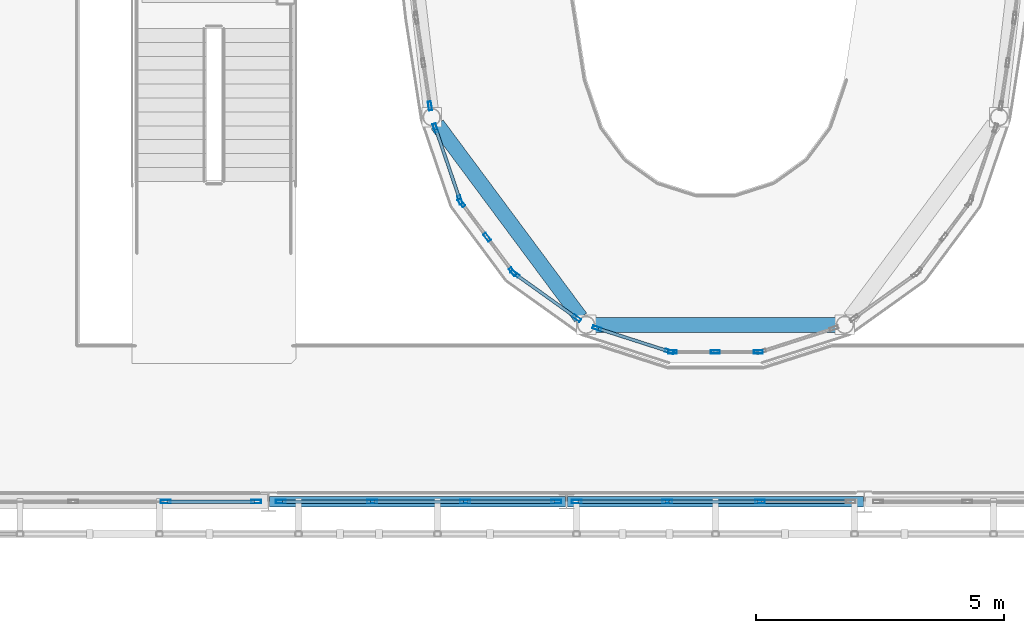
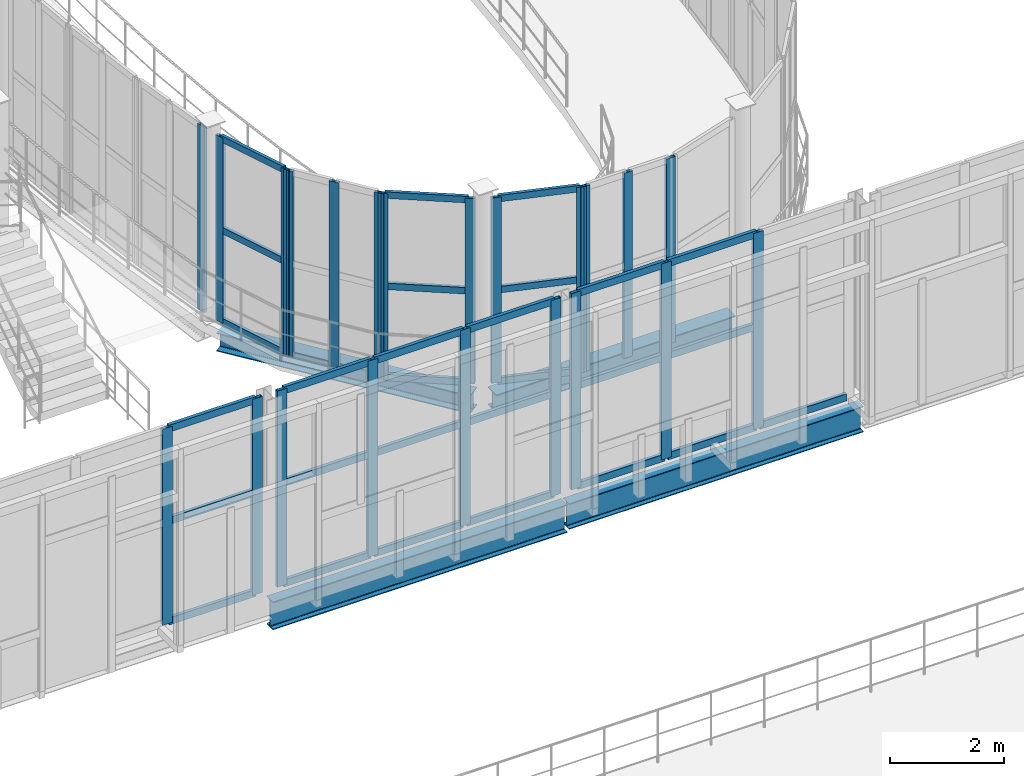
# One storey, part 29 of 138: 50 members, 4 beams, 9 elements without a shape of their own.
"""IFC4 building model written with IfcOpenShell, lengths in metres."""

from ifc_helpers import new_model, si_unit, direction, frame, origin, origin_2d, place, context, subcontext, project, spatial, hollow_rectangle, i_section, extrude, material, layer, layer_set, material_profile, profile_set, type_object, element, aggregate, save


model = new_model("IFC4")

# Units and contexts
model_context = context("Model", 3, precision=1e-05, world=origin(), true_north=direction((0.0, 1.0)))
body_context = subcontext(model_context, "Body", "Model", "MODEL_VIEW")
ifc_project = project(units=[si_unit("LENGTHUNIT", "METRE"), si_unit("AREAUNIT", "SQUARE_METRE"), si_unit("VOLUMEUNIT", "CUBIC_METRE"), si_unit("PLANEANGLEUNIT", "RADIAN"), si_unit("MASSUNIT", "GRAM", prefix="KILO")], contexts=[model_context])

# Site, building, storey
site_placement = place(None, origin())
site = spatial("IfcSite", under=ifc_project, at=site_placement, CompositionType="ELEMENT")
building_placement = place(site_placement, origin())
building = spatial("IfcBuilding", under=site, at=building_placement, Name="Vinh Khe Railworks Police Headquarters", CompositionType="ELEMENT")
storey_placement = place(building_placement, frame((0.0, 0.0, 9.0)))
storey = spatial("IfcBuildingStorey", under=building, at=storey_placement, Name="L02", CompositionType="ELEMENT", Elevation=9.0)

# Curtain wall, member
ifc_material_1 = material(Name="Anodised aluminium and acoustic laminated glass", Category="aluminium")
ifc_layer_1 = layer(ifc_material_1, 0.159912109375)
ifc_layer_set_1 = layer_set([ifc_layer_1], Name="Anodised aluminium and acoustic laminated glass")
curtain_wall_type_1 = type_object("IfcCurtainWallType", Name="CW-DRUM-CHORD", PredefinedType="USERDEFINED", material=ifc_layer_set_1)
curtain_wall_1_placement = place(storey_placement, origin())
curtain_wall_1 = element("IfcCurtainWall", 1, at=curtain_wall_1_placement, inside=storey, type_object=curtain_wall_type_1, Name="Elliptical Command Drum Glazing L02 Chord 27", ObjectType="DRUM FACADE GLAZING", PredefinedType="USERDEFINED")
ifc_material_2 = material(Name="Anodised aluminium 6063-T6", Category="aluminium")
ifc_material_profile_1 = material_profile(ifc_material_2, hollow_rectangle(XDim=0.06494140625, YDim=0.179931640625, WallThickness=0.0048828125, at=origin_2d()), Name="CW-M 65x180x5")
ifc_profile_set_1 = profile_set([ifc_material_profile_1], Name="Anodised aluminium 6063-T6")
member_type_1 = type_object("IfcMemberType", Name="MULL-CWM-02", PredefinedType="MULLION", material=ifc_profile_set_1)
member_1_placement = place(storey_placement, frame((37.45166015625, 33.171630859375, 0.0), z_axis=(0.0, 0.0, 1.0), x_axis=(0.988150166575, 0.153490222159, 0.0)))
member_1 = element("IfcMember", 2, at=member_1_placement, type_object=member_type_1, Name="CW-02 mullion 3", PredefinedType="MULLION", context=body_context, shape_type="SweptSolid", body=[
    extrude(hollow_rectangle(XDim=0.06494140625, YDim=0.179931640625, WallThickness=0.0048828125, at=origin_2d()), origin(), (0.0, 0.0, 1.0), 3.969970703125),
])
aggregate(curtain_wall_1, [member_1])

# Curtain wall, members
curtain_wall_2_placement = place(storey_placement, origin())
curtain_wall_2 = element("IfcCurtainWall", 3, at=curtain_wall_2_placement, inside=storey, type_object=curtain_wall_type_1, Name="Elliptical Command Drum Glazing L02 Chord 28", ObjectType="DRUM FACADE GLAZING", PredefinedType="USERDEFINED")
member_2_placement = place(storey_placement, frame((37.561279296875, 32.72607421875, 0.0), z_axis=(0.0, 0.0, 1.0), x_axis=(0.946485571054, 0.322746129004, 0.0)))
member_2 = element("IfcMember", 4, at=member_2_placement, type_object=member_type_1, Name="CW-02 mullion 1", PredefinedType="MULLION", context=body_context, shape_type="SweptSolid", body=[
    extrude(hollow_rectangle(XDim=0.06494140625, YDim=0.179931640625, WallThickness=0.0048828125, at=origin_2d()), origin(), (0.0, 0.0, 1.0), 3.969970703125),
])
member_3_placement = place(storey_placement, frame((38.055419921875, 31.27685546875, 0.0), z_axis=(0.0, 0.0, 1.0), x_axis=(0.946485571054, 0.322746129004, 0.0)))
member_3 = element("IfcMember", 5, at=member_3_placement, type_object=member_type_1, Name="CW-02 mullion 2", PredefinedType="MULLION", context=body_context, shape_type="SweptSolid", body=[
    extrude(hollow_rectangle(XDim=0.06494140625, YDim=0.179931640625, WallThickness=0.0048828125, at=origin_2d()), origin(), (0.0, 0.0, 1.0), 3.969970703125),
])

curtain_wall_3_placement = place(storey_placement, origin())
curtain_wall_3 = element("IfcCurtainWall", 6, at=curtain_wall_3_placement, inside=storey, type_object=curtain_wall_type_1, Name="Elliptical Command Drum Glazing L02 Chord 29", ObjectType="DRUM FACADE GLAZING", PredefinedType="USERDEFINED")
member_4_placement = place(storey_placement, frame((38.085205078125, 31.22021484375, 0.0), z_axis=(0.0, 0.0, 1.0), x_axis=(0.802591949394, 0.596528425784, 0.0)))
member_4 = element("IfcMember", 7, at=member_4_placement, type_object=member_type_1, Name="CW-02 mullion 1", PredefinedType="MULLION", context=body_context, shape_type="SweptSolid", body=[
    extrude(hollow_rectangle(XDim=0.06494140625, YDim=0.179931640625, WallThickness=0.0048828125, at=origin_2d()), origin(), (0.0, 0.0, 1.0), 3.969970703125),
])
member_5_placement = place(storey_placement, frame((38.60107421875, 30.5263671875, 0.0), z_axis=(0.0, 0.0, 1.0), x_axis=(0.802591949394, 0.596528425784, 0.0)))
member_5 = element("IfcMember", 8, at=member_5_placement, type_object=member_type_1, Name="CW-02 mullion 2", PredefinedType="MULLION", context=body_context, shape_type="SweptSolid", body=[
    extrude(hollow_rectangle(XDim=0.06494140625, YDim=0.179931640625, WallThickness=0.0048828125, at=origin_2d()), origin(), (0.0, 0.0, 1.0), 3.969970703125),
])
member_6_placement = place(storey_placement, frame((39.11669921875, 29.83251953125, 0.0), z_axis=(0.0, 0.0, 1.0), x_axis=(0.802591949394, 0.596528425784, 0.0)))
member_6 = element("IfcMember", 9, at=member_6_placement, type_object=member_type_1, Name="CW-02 mullion 3", PredefinedType="MULLION", context=body_context, shape_type="SweptSolid", body=[
    extrude(hollow_rectangle(XDim=0.06494140625, YDim=0.179931640625, WallThickness=0.0048828125, at=origin_2d()), origin(), (0.0, 0.0, 1.0), 3.969970703125),
])
aggregate(curtain_wall_3, [member_4, member_5, member_6])

curtain_wall_4_placement = place(storey_placement, origin())
curtain_wall_4 = element("IfcCurtainWall", 10, at=curtain_wall_4_placement, inside=storey, type_object=curtain_wall_type_1, Name="Elliptical Command Drum Glazing L02 Chord 30", ObjectType="DRUM FACADE GLAZING", PredefinedType="USERDEFINED")
member_7_placement = place(storey_placement, frame((39.162353515625, 29.78759765625, 0.0), z_axis=(0.0, 0.0, 1.0), x_axis=(0.581915407422, 0.813249321306, 0.0)))
member_7 = element("IfcMember", 11, at=member_7_placement, type_object=member_type_1, Name="CW-02 mullion 1", PredefinedType="MULLION", context=body_context, shape_type="SweptSolid", body=[
    extrude(hollow_rectangle(XDim=0.06494140625, YDim=0.179931640625, WallThickness=0.0048828125, at=origin_2d()), origin(), (0.0, 0.0, 1.0), 3.969970703125),
])
member_8_placement = place(storey_placement, frame((40.40771484375, 28.896484375, 0.0), z_axis=(0.0, 0.0, 1.0), x_axis=(0.581915407422, 0.813249321306, 0.0)))
member_8 = element("IfcMember", 12, at=member_8_placement, type_object=member_type_1, Name="CW-02 mullion 2", PredefinedType="MULLION", context=body_context, shape_type="SweptSolid", body=[
    extrude(hollow_rectangle(XDim=0.06494140625, YDim=0.179931640625, WallThickness=0.0048828125, at=origin_2d()), origin(), (0.0, 0.0, 1.0), 3.969970703125),
])

curtain_wall_5_placement = place(storey_placement, origin())
curtain_wall_5 = element("IfcCurtainWall", 13, at=curtain_wall_5_placement, inside=storey, type_object=curtain_wall_type_1, Name="Elliptical Command Drum Glazing L02 Chord 31", ObjectType="DRUM FACADE GLAZING", PredefinedType="USERDEFINED")
member_9_placement = place(storey_placement, frame((40.814208984375, 28.692138671875, 0.0), z_axis=(0.0, 0.0, 1.0), x_axis=(0.305575355525, 0.952167895959, 0.0)))
member_9 = element("IfcMember", 14, at=member_9_placement, type_object=member_type_1, Name="CW-02 mullion 1", PredefinedType="MULLION", context=body_context, shape_type="SweptSolid", body=[
    extrude(hollow_rectangle(XDim=0.06494140625, YDim=0.179931640625, WallThickness=0.0048828125, at=origin_2d()), origin(), (0.0, 0.0, 1.0), 3.969970703125),
])
member_10_placement = place(storey_placement, frame((42.27197265625, 28.224365234375, 0.0), z_axis=(0.0, 0.0, 1.0), x_axis=(0.305575355525, 0.952167895959, 0.0)))
member_10 = element("IfcMember", 15, at=member_10_placement, type_object=member_type_1, Name="CW-02 mullion 2", PredefinedType="MULLION", context=body_context, shape_type="SweptSolid", body=[
    extrude(hollow_rectangle(XDim=0.06494140625, YDim=0.179931640625, WallThickness=0.0048828125, at=origin_2d()), origin(), (0.0, 0.0, 1.0), 3.969970703125),
])

curtain_wall_6_placement = place(storey_placement, origin())
curtain_wall_6 = element("IfcCurtainWall", 16, at=curtain_wall_6_placement, inside=storey, type_object=curtain_wall_type_1, Name="Elliptical Command Drum Glazing L02 Chord 32", ObjectType="DRUM FACADE GLAZING", PredefinedType="USERDEFINED")
member_11_placement = place(storey_placement, frame((42.33544921875, 28.21435546875, 0.0), z_axis=(0.0, 0.0, 1.0), x_axis=(0.0, 1.0, 0.0)))
member_11 = element("IfcMember", 17, at=member_11_placement, type_object=member_type_1, Name="CW-02 mullion 1", PredefinedType="MULLION", context=body_context, shape_type="SweptSolid", body=[
    extrude(hollow_rectangle(XDim=0.06494140625, YDim=0.179931640625, WallThickness=0.0048828125, at=origin_2d()), origin(), (0.0, 0.0, 1.0), 3.969970703125),
])
member_12_placement = place(storey_placement, frame((43.199951171875, 28.21435546875, 0.0), z_axis=(0.0, 0.0, 1.0), x_axis=(0.0, 1.0, 0.0)))
member_12 = element("IfcMember", 18, at=member_12_placement, type_object=member_type_1, Name="CW-02 mullion 2", PredefinedType="MULLION", context=body_context, shape_type="SweptSolid", body=[
    extrude(hollow_rectangle(XDim=0.06494140625, YDim=0.179931640625, WallThickness=0.0048828125, at=origin_2d()), origin(), (0.0, 0.0, 1.0), 3.969970703125),
])
member_13_placement = place(storey_placement, frame((44.064453125, 28.21435546875, 0.0), z_axis=(0.0, 0.0, 1.0), x_axis=(0.0, 1.0, 0.0)))
member_13 = element("IfcMember", 19, at=member_13_placement, type_object=member_type_1, Name="CW-02 mullion 3", PredefinedType="MULLION", context=body_context, shape_type="SweptSolid", body=[
    extrude(hollow_rectangle(XDim=0.06494140625, YDim=0.179931640625, WallThickness=0.0048828125, at=origin_2d()), origin(), (0.0, 0.0, 1.0), 3.969970703125),
])
aggregate(curtain_wall_6, [member_11, member_12, member_13])

ifc_material_3 = material(Name="Anodised aluminium and low-iron glass", Category="aluminium")
ifc_layer_2 = layer(ifc_material_3, 0.179931640625)
ifc_layer_set_2 = layer_set([ifc_layer_2], Name="Anodised aluminium and low-iron glass")
curtain_wall_type_2 = type_object("IfcCurtainWallType", Name="CW-CUBE-UNIT", PredefinedType="USERDEFINED", material=ifc_layer_set_2)
curtain_wall_7_placement = place(storey_placement, origin())
curtain_wall_7 = element("IfcCurtainWall", 20, at=curtain_wall_7_placement, inside=storey, type_object=curtain_wall_type_2, Name="Entrance Hall Curtain Wall L02 S-1", ObjectType="UNITISED GLAZING", PredefinedType="USERDEFINED")
ifc_material_profile_2 = material_profile(ifc_material_2, hollow_rectangle(XDim=0.070068359375, YDim=0.199951171875, WallThickness=0.0048828125, at=origin_2d()), Name="CW-M 70x200x5")
ifc_profile_set_2 = profile_set([ifc_material_profile_2], Name="Anodised aluminium 6063-T6")
member_type_2 = type_object("IfcMemberType", Name="MULL-CWM-03", PredefinedType="MULLION", material=ifc_profile_set_2)
member_14_placement = place(storey_placement, frame((32.126220703125, 25.199951171875, 0.0), z_axis=(0.0, 0.0, 1.0), x_axis=(0.0, 1.0, 0.0)))
member_14 = element("IfcMember", 21, at=member_14_placement, type_object=member_type_2, Name="CW-01 mullion 4", PredefinedType="MULLION", context=body_context, shape_type="SweptSolid", body=[
    extrude(hollow_rectangle(XDim=0.070068359375, YDim=0.199951171875, WallThickness=0.0048828125, at=origin_2d()), origin(), (0.0, 0.0, 1.0), 4.199951171875),
])
member_15_placement = place(storey_placement, frame((33.949951171875, 25.199951171875, 0.0), z_axis=(0.0, 0.0, 1.0), x_axis=(0.0, 1.0, 0.0)))
member_15 = element("IfcMember", 22, at=member_15_placement, type_object=member_type_2, Name="CW-01 mullion 5", PredefinedType="MULLION", context=body_context, shape_type="SweptSolid", body=[
    extrude(hollow_rectangle(XDim=0.070068359375, YDim=0.199951171875, WallThickness=0.0048828125, at=origin_2d()), origin(), (0.0, 0.0, 1.0), 4.199951171875),
])

curtain_wall_8_placement = place(storey_placement, origin())
curtain_wall_8 = element("IfcCurtainWall", 23, at=curtain_wall_8_placement, inside=storey, type_object=curtain_wall_type_2, Name="Entrance Hall Curtain Wall L02 S-2", ObjectType="UNITISED GLAZING", PredefinedType="USERDEFINED")
member_16_placement = place(storey_placement, frame((34.449951171875, 25.199951171875, 0.0), z_axis=(0.0, 0.0, 1.0), x_axis=(0.0, 1.0, 0.0)))
member_16 = element("IfcMember", 24, at=member_16_placement, type_object=member_type_2, Name="CW-01 mullion 1", PredefinedType="MULLION", context=body_context, shape_type="SweptSolid", body=[
    extrude(hollow_rectangle(XDim=0.070068359375, YDim=0.199951171875, WallThickness=0.0048828125, at=origin_2d()), origin(), (0.0, 0.0, 1.0), 4.199951171875),
])
member_17_placement = place(storey_placement, frame((36.28662109375, 25.199951171875, 0.0), z_axis=(0.0, 0.0, 1.0), x_axis=(0.0, 1.0, 0.0)))
member_17 = element("IfcMember", 25, at=member_17_placement, type_object=member_type_2, Name="CW-01 mullion 2", PredefinedType="MULLION", context=body_context, shape_type="SweptSolid", body=[
    extrude(hollow_rectangle(XDim=0.070068359375, YDim=0.199951171875, WallThickness=0.0048828125, at=origin_2d()), origin(), (0.0, 0.0, 1.0), 4.199951171875),
])
member_18_placement = place(storey_placement, frame((38.158447265625, 25.199951171875, 0.0), z_axis=(0.0, 0.0, 1.0), x_axis=(0.0, 1.0, 0.0)))
member_18 = element("IfcMember", 26, at=member_18_placement, type_object=member_type_2, Name="CW-01 mullion 3", PredefinedType="MULLION", context=body_context, shape_type="SweptSolid", body=[
    extrude(hollow_rectangle(XDim=0.070068359375, YDim=0.199951171875, WallThickness=0.0048828125, at=origin_2d()), origin(), (0.0, 0.0, 1.0), 4.199951171875),
])
member_19_placement = place(storey_placement, frame((39.9951171875, 25.199951171875, 0.0), z_axis=(0.0, 0.0, 1.0), x_axis=(0.0, 1.0, 0.0)))
member_19 = element("IfcMember", 27, at=member_19_placement, type_object=member_type_2, Name="CW-01 mullion 4", PredefinedType="MULLION", context=body_context, shape_type="SweptSolid", body=[
    extrude(hollow_rectangle(XDim=0.070068359375, YDim=0.199951171875, WallThickness=0.0048828125, at=origin_2d()), origin(), (0.0, 0.0, 1.0), 4.199951171875),
])

curtain_wall_9_placement = place(storey_placement, origin())
curtain_wall_9 = element("IfcCurtainWall", 28, at=curtain_wall_9_placement, inside=storey, type_object=curtain_wall_type_2, Name="Entrance Hall Curtain Wall L02 S-3", ObjectType="UNITISED GLAZING", PredefinedType="USERDEFINED")
member_20_placement = place(storey_placement, frame((40.405029296875, 25.199951171875, 0.0), z_axis=(0.0, 0.0, 1.0), x_axis=(0.0, 1.0, 0.0)))
member_20 = element("IfcMember", 29, at=member_20_placement, type_object=member_type_2, Name="CW-01 mullion 1", PredefinedType="MULLION", context=body_context, shape_type="SweptSolid", body=[
    extrude(hollow_rectangle(XDim=0.070068359375, YDim=0.199951171875, WallThickness=0.0048828125, at=origin_2d()), origin(), (0.0, 0.0, 1.0), 4.199951171875),
])
member_21_placement = place(storey_placement, frame((42.2333984375, 25.199951171875, 0.0), z_axis=(0.0, 0.0, 1.0), x_axis=(0.0, 1.0, 0.0)))
member_21 = element("IfcMember", 30, at=member_21_placement, type_object=member_type_2, Name="CW-01 mullion 2", PredefinedType="MULLION", context=body_context, shape_type="SweptSolid", body=[
    extrude(hollow_rectangle(XDim=0.070068359375, YDim=0.199951171875, WallThickness=0.0048828125, at=origin_2d()), origin(), (0.0, 0.0, 1.0), 4.199951171875),
])
member_22_placement = place(storey_placement, frame((44.0966796875, 25.199951171875, 0.0), z_axis=(0.0, 0.0, 1.0), x_axis=(0.0, 1.0, 0.0)))
member_22 = element("IfcMember", 31, at=member_22_placement, type_object=member_type_2, Name="CW-01 mullion 3", PredefinedType="MULLION", context=body_context, shape_type="SweptSolid", body=[
    extrude(hollow_rectangle(XDim=0.070068359375, YDim=0.199951171875, WallThickness=0.0048828125, at=origin_2d()), origin(), (0.0, 0.0, 1.0), 4.199951171875),
])

# Beams
ifc_material_4 = material(Name="Steel S355JR", Category="steel")
ifc_material_profile_3 = material_profile(ifc_material_4, i_section(OverallWidth=0.300048828125, OverallDepth=0.389892578125, WebThickness=0.010986328125, FlangeThickness=0.01904296875, FilletRadius=0.027099609375, at=origin_2d()), Name="HEA 400")
ifc_profile_set_3 = profile_set([ifc_material_profile_3], Name="Steel S355JR")
beam_type_1 = type_object("IfcBeamType", Name="Steel Girder HEA 400", PredefinedType="BEAM", material=ifc_profile_set_3)
for number, where, z_axis, x_axis, name in (
    (32, (37.59619140625, 32.797119140625, -0.4150390625), (0.596510507995, -0.802605266524, 0.0), (0.802605266524, 0.596510507995, 0.0), "Drum Ring Girder BM-L02-DRUM-SB-14-1020"),
    (33, (40.778076171875, 28.762451171875, -0.4150390625), (1.0, 0.0, 0.0), (0.0, 1.0, 0.0), "Drum Ring Girder BM-L02-DRUM-SB-14-1021"),
):
    element("IfcBeam", number, at=place(storey_placement, frame(where, z_axis=z_axis, x_axis=x_axis)), inside=storey, type_object=beam_type_1, Name=name, PredefinedType="BEAM", context=body_context, shape_type="SweptSolid", body=[
        extrude(i_section(OverallWidth=0.300048828125, OverallDepth=0.389892578125, WebThickness=0.010986328125, FlangeThickness=0.01904296875, FilletRadius=0.027099609375, at=origin_2d()), origin(), (0.0, 0.0, 1.0), 4.84375),
    ])
ifc_material_profile_4 = material_profile(ifc_material_4, i_section(OverallWidth=0.2099609375, OverallDepth=0.550048828125, WebThickness=0.010986328125, FlangeThickness=0.01708984375, FilletRadius=0.02392578125, at=origin_2d()), Name="IPE 550")
ifc_profile_set_4 = profile_set([ifc_material_profile_4], Name="Steel S355JR")
beam_type_2 = type_object("IfcBeamType", Name="Steel Girder IPE 550", PredefinedType="BEAM", material=ifc_profile_set_4)
beam_1_placement = place(storey_placement, frame((40.219970703125, 25.199951171875, -0.4951171875), z_axis=(1.0, 0.0, 0.0), x_axis=(0.0, 1.0, 0.0)))
element("IfcBeam", 34, at=beam_1_placement, inside=storey, type_object=beam_type_2, Name="Girder BM-L02-EW-SB-18-0766", PredefinedType="BEAM", context=body_context, shape_type="SweptSolid", body=[
    extrude(i_section(OverallWidth=0.2099609375, OverallDepth=0.550048828125, WebThickness=0.010986328125, FlangeThickness=0.01708984375, FilletRadius=0.02392578125, at=origin_2d()), origin(), (0.0, 0.0, 1.0), 5.9599609375),
])
ifc_material_profile_5 = material_profile(ifc_material_4, i_section(OverallWidth=0.219970703125, OverallDepth=0.60009765625, WebThickness=0.011962890625, FlangeThickness=0.01904296875, FilletRadius=0.02392578125, at=origin_2d()), Name="IPE 600")
ifc_profile_set_5 = profile_set([ifc_material_profile_5], Name="Steel S355JR")
beam_type_3 = type_object("IfcBeamType", Name="Steel Girder IPE 600", PredefinedType="BEAM", material=ifc_profile_set_5)
beam_2_placement = place(storey_placement, frame((34.219970703125, 25.199951171875, -0.52001953125), z_axis=(1.0, 0.0, 0.0), x_axis=(0.0, 1.0, 0.0)))
element("IfcBeam", 35, at=beam_2_placement, inside=storey, type_object=beam_type_3, Name="Girder BM-L02-EW-SB-17-0765", PredefinedType="BEAM", context=body_context, shape_type="SweptSolid", body=[
    extrude(i_section(OverallWidth=0.219970703125, OverallDepth=0.60009765625, WebThickness=0.011962890625, FlangeThickness=0.01904296875, FilletRadius=0.02392578125, at=origin_2d()), origin(), (0.0, 0.0, 1.0), 5.9599609375),
])

# Member
ifc_material_profile_6 = material_profile(ifc_material_2, hollow_rectangle(XDim=0.06494140625, YDim=0.139892578125, WallThickness=0.00390625, at=origin_2d()), Name="CW-T 65x140x4")
ifc_profile_set_6 = profile_set([ifc_material_profile_6], Name="Anodised aluminium 6063-T6")
member_type_3 = type_object("IfcMemberType", Name="TRAN-CWT-02", PredefinedType="USERDEFINED", material=ifc_profile_set_6)
member_23_placement = place(storey_placement, frame((37.57177734375, 32.6953125, 0.032470703125), z_axis=(0.322714613398, -0.946496317108, 0.0), x_axis=(0.946496317108, 0.322714613398, 0.0)))
member_23 = element("IfcMember", 36, at=member_23_placement, type_object=member_type_3, Name="CW-02 transom 1.1", ObjectType="TRANSOM", PredefinedType="USERDEFINED", context=body_context, shape_type="SweptSolid", body=[
    extrude(hollow_rectangle(XDim=0.06494140625, YDim=0.139892578125, WallThickness=0.00390625, at=origin_2d()), origin(), (0.0, 0.0, 1.0), 1.466064453125),
])

member_24_placement = place(storey_placement, frame((37.57177734375, 32.6953125, 1.985107421875), z_axis=(0.322714613398, -0.946496317108, 0.0), x_axis=(0.946496317108, 0.322714613398, 0.0)))
member_24 = element("IfcMember", 37, at=member_24_placement, type_object=member_type_3, Name="CW-02 transom 1.2", ObjectType="TRANSOM", PredefinedType="USERDEFINED", context=body_context, shape_type="SweptSolid", body=[
    extrude(hollow_rectangle(XDim=0.06494140625, YDim=0.139892578125, WallThickness=0.00390625, at=origin_2d()), origin(), (0.0, 0.0, 1.0), 1.466064453125),
])

member_25_placement = place(storey_placement, frame((37.57177734375, 32.6953125, 3.9375), z_axis=(0.322714613398, -0.946496317108, 0.0), x_axis=(0.946496317108, 0.322714613398, 0.0)))
member_25 = element("IfcMember", 38, at=member_25_placement, type_object=member_type_3, Name="CW-02 transom 1.3", ObjectType="TRANSOM", PredefinedType="USERDEFINED", context=body_context, shape_type="SweptSolid", body=[
    extrude(hollow_rectangle(XDim=0.06494140625, YDim=0.139892578125, WallThickness=0.00390625, at=origin_2d()), origin(), (0.0, 0.0, 1.0), 1.466064453125),
])

aggregate(curtain_wall_2, [member_2, member_3, member_23, member_24, member_25])

member_26_placement = place(storey_placement, frame((39.18896484375, 29.7685546875, 0.032470703125), z_axis=(0.813249302485, -0.581915433726, 0.0), x_axis=(0.581915433726, 0.813249302485, 0.0)))
member_26 = element("IfcMember", 39, at=member_26_placement, type_object=member_type_3, Name="CW-02 transom 1.1", ObjectType="TRANSOM", PredefinedType="USERDEFINED", context=body_context, shape_type="SweptSolid", body=[
    extrude(hollow_rectangle(XDim=0.06494140625, YDim=0.139892578125, WallThickness=0.00390625, at=origin_2d()), origin(), (0.0, 0.0, 1.0), 1.4658203125),
])

member_27_placement = place(storey_placement, frame((39.18896484375, 29.7685546875, 1.985107421875), z_axis=(0.813249302485, -0.581915433726, 0.0), x_axis=(0.581915433726, 0.813249302485, 0.0)))
member_27 = element("IfcMember", 40, at=member_27_placement, type_object=member_type_3, Name="CW-02 transom 1.2", ObjectType="TRANSOM", PredefinedType="USERDEFINED", context=body_context, shape_type="SweptSolid", body=[
    extrude(hollow_rectangle(XDim=0.06494140625, YDim=0.139892578125, WallThickness=0.00390625, at=origin_2d()), origin(), (0.0, 0.0, 1.0), 1.4658203125),
])

member_28_placement = place(storey_placement, frame((39.18896484375, 29.7685546875, 3.9375), z_axis=(0.813249302485, -0.581915433726, 0.0), x_axis=(0.581915433726, 0.813249302485, 0.0)))
member_28 = element("IfcMember", 41, at=member_28_placement, type_object=member_type_3, Name="CW-02 transom 1.3", ObjectType="TRANSOM", PredefinedType="USERDEFINED", context=body_context, shape_type="SweptSolid", body=[
    extrude(hollow_rectangle(XDim=0.06494140625, YDim=0.139892578125, WallThickness=0.00390625, at=origin_2d()), origin(), (0.0, 0.0, 1.0), 1.4658203125),
])

aggregate(curtain_wall_4, [member_7, member_8, member_26, member_27, member_28])

member_29_placement = place(storey_placement, frame((40.84521484375, 28.68212890625, 0.032470703125), z_axis=(0.952170531447, -0.305567143268, 0.0), x_axis=(0.305567143268, 0.952170531447, 0.0)))
member_29 = element("IfcMember", 42, at=member_29_placement, type_object=member_type_3, Name="CW-02 transom 1.1", ObjectType="TRANSOM", PredefinedType="USERDEFINED", context=body_context, shape_type="SweptSolid", body=[
    extrude(hollow_rectangle(XDim=0.06494140625, YDim=0.139892578125, WallThickness=0.00390625, at=origin_2d()), origin(), (0.0, 0.0, 1.0), 1.466064453125),
])

member_30_placement = place(storey_placement, frame((40.84521484375, 28.68212890625, 1.985107421875), z_axis=(0.952170531447, -0.305567143268, 0.0), x_axis=(0.305567143268, 0.952170531447, 0.0)))
member_30 = element("IfcMember", 43, at=member_30_placement, type_object=member_type_3, Name="CW-02 transom 1.2", ObjectType="TRANSOM", PredefinedType="USERDEFINED", context=body_context, shape_type="SweptSolid", body=[
    extrude(hollow_rectangle(XDim=0.06494140625, YDim=0.139892578125, WallThickness=0.00390625, at=origin_2d()), origin(), (0.0, 0.0, 1.0), 1.466064453125),
])

member_31_placement = place(storey_placement, frame((40.84521484375, 28.68212890625, 3.9375), z_axis=(0.952170531447, -0.305567143268, 0.0), x_axis=(0.305567143268, 0.952170531447, 0.0)))
member_31 = element("IfcMember", 44, at=member_31_placement, type_object=member_type_3, Name="CW-02 transom 1.3", ObjectType="TRANSOM", PredefinedType="USERDEFINED", context=body_context, shape_type="SweptSolid", body=[
    extrude(hollow_rectangle(XDim=0.06494140625, YDim=0.139892578125, WallThickness=0.00390625, at=origin_2d()), origin(), (0.0, 0.0, 1.0), 1.466064453125),
])

aggregate(curtain_wall_5, [member_9, member_10, member_29, member_30, member_31])

ifc_material_profile_7 = material_profile(ifc_material_2, hollow_rectangle(XDim=0.070068359375, YDim=0.14990234375, WallThickness=0.0048828125, at=origin_2d()), Name="CW-T 70x150x5")
ifc_profile_set_7 = profile_set([ifc_material_profile_7], Name="Anodised aluminium 6063-T6")
member_type_4 = type_object("IfcMemberType", Name="TRAN-CWT-03", PredefinedType="USERDEFINED", material=ifc_profile_set_7)
member_32_placement = place(storey_placement, frame((32.1611328125, 25.199951171875, 0.034912109375), z_axis=(1.0, 0.0, 0.0), x_axis=(0.0, 1.0, 0.0)))
member_32 = element("IfcMember", 45, at=member_32_placement, type_object=member_type_4, Name="CW-01 transom 4.1", ObjectType="TRANSOM", PredefinedType="USERDEFINED", context=body_context, shape_type="SweptSolid", body=[
    extrude(hollow_rectangle(XDim=0.070068359375, YDim=0.14990234375, WallThickness=0.0048828125, at=origin_2d()), origin(), (0.0, 0.0, 1.0), 1.75390625),
])

member_33_placement = place(storey_placement, frame((32.1611328125, 25.199951171875, 2.18408203125), z_axis=(1.0, 0.0, 0.0), x_axis=(0.0, 1.0, 0.0)))
member_33 = element("IfcMember", 46, at=member_33_placement, type_object=member_type_4, Name="CW-01 transom 4.2", ObjectType="TRANSOM", PredefinedType="USERDEFINED", context=body_context, shape_type="SweptSolid", body=[
    extrude(hollow_rectangle(XDim=0.070068359375, YDim=0.14990234375, WallThickness=0.0048828125, at=origin_2d()), origin(), (0.0, 0.0, 1.0), 1.75390625),
])

member_34_placement = place(storey_placement, frame((32.1611328125, 25.199951171875, 4.1650390625), z_axis=(1.0, 0.0, 0.0), x_axis=(0.0, 1.0, 0.0)))
member_34 = element("IfcMember", 47, at=member_34_placement, type_object=member_type_4, Name="CW-01 transom 4.3", ObjectType="TRANSOM", PredefinedType="USERDEFINED", context=body_context, shape_type="SweptSolid", body=[
    extrude(hollow_rectangle(XDim=0.070068359375, YDim=0.14990234375, WallThickness=0.0048828125, at=origin_2d()), origin(), (0.0, 0.0, 1.0), 1.75390625),
])

aggregate(curtain_wall_7, [member_14, member_15, member_32, member_33, member_34])

member_35_placement = place(storey_placement, frame((34.485107421875, 25.199951171875, 0.034912109375), z_axis=(1.0, 0.0, 0.0), x_axis=(0.0, 1.0, 0.0)))
member_35 = element("IfcMember", 48, at=member_35_placement, type_object=member_type_4, Name="CW-01 transom 1.1", ObjectType="TRANSOM", PredefinedType="USERDEFINED", context=body_context, shape_type="SweptSolid", body=[
    extrude(hollow_rectangle(XDim=0.070068359375, YDim=0.14990234375, WallThickness=0.0048828125, at=origin_2d()), origin(), (0.0, 0.0, 1.0), 1.7666015625),
])

member_36_placement = place(storey_placement, frame((34.485107421875, 25.199951171875, 2.18408203125), z_axis=(1.0, 0.0, 0.0), x_axis=(0.0, 1.0, 0.0)))
member_36 = element("IfcMember", 49, at=member_36_placement, type_object=member_type_4, Name="CW-01 transom 1.2", ObjectType="TRANSOM", PredefinedType="USERDEFINED", context=body_context, shape_type="SweptSolid", body=[
    extrude(hollow_rectangle(XDim=0.070068359375, YDim=0.14990234375, WallThickness=0.0048828125, at=origin_2d()), origin(), (0.0, 0.0, 1.0), 1.7666015625),
])

member_37_placement = place(storey_placement, frame((34.485107421875, 25.199951171875, 4.1650390625), z_axis=(1.0, 0.0, 0.0), x_axis=(0.0, 1.0, 0.0)))
member_37 = element("IfcMember", 50, at=member_37_placement, type_object=member_type_4, Name="CW-01 transom 1.3", ObjectType="TRANSOM", PredefinedType="USERDEFINED", context=body_context, shape_type="SweptSolid", body=[
    extrude(hollow_rectangle(XDim=0.070068359375, YDim=0.14990234375, WallThickness=0.0048828125, at=origin_2d()), origin(), (0.0, 0.0, 1.0), 1.7666015625),
])

member_38_placement = place(storey_placement, frame((36.32177734375, 25.199951171875, 0.034912109375), z_axis=(1.0, 0.0, 0.0), x_axis=(0.0, 1.0, 0.0)))
member_38 = element("IfcMember", 51, at=member_38_placement, type_object=member_type_4, Name="CW-01 transom 2.1", ObjectType="TRANSOM", PredefinedType="USERDEFINED", context=body_context, shape_type="SweptSolid", body=[
    extrude(hollow_rectangle(XDim=0.070068359375, YDim=0.14990234375, WallThickness=0.0048828125, at=origin_2d()), origin(), (0.0, 0.0, 1.0), 1.801513671875),
])

member_39_placement = place(storey_placement, frame((36.32177734375, 25.199951171875, 2.18408203125), z_axis=(1.0, 0.0, 0.0), x_axis=(0.0, 1.0, 0.0)))
member_39 = element("IfcMember", 52, at=member_39_placement, type_object=member_type_4, Name="CW-01 transom 2.2", ObjectType="TRANSOM", PredefinedType="USERDEFINED", context=body_context, shape_type="SweptSolid", body=[
    extrude(hollow_rectangle(XDim=0.070068359375, YDim=0.14990234375, WallThickness=0.0048828125, at=origin_2d()), origin(), (0.0, 0.0, 1.0), 1.801513671875),
])

member_40_placement = place(storey_placement, frame((36.32177734375, 25.199951171875, 4.1650390625), z_axis=(1.0, 0.0, 0.0), x_axis=(0.0, 1.0, 0.0)))
member_40 = element("IfcMember", 53, at=member_40_placement, type_object=member_type_4, Name="CW-01 transom 2.3", ObjectType="TRANSOM", PredefinedType="USERDEFINED", context=body_context, shape_type="SweptSolid", body=[
    extrude(hollow_rectangle(XDim=0.070068359375, YDim=0.14990234375, WallThickness=0.0048828125, at=origin_2d()), origin(), (0.0, 0.0, 1.0), 1.801513671875),
])

member_41_placement = place(storey_placement, frame((38.193359375, 25.199951171875, 0.034912109375), z_axis=(1.0, 0.0, 0.0), x_axis=(0.0, 1.0, 0.0)))
member_41 = element("IfcMember", 54, at=member_41_placement, type_object=member_type_4, Name="CW-01 transom 3.1", ObjectType="TRANSOM", PredefinedType="USERDEFINED", context=body_context, shape_type="SweptSolid", body=[
    extrude(hollow_rectangle(XDim=0.070068359375, YDim=0.14990234375, WallThickness=0.0048828125, at=origin_2d()), origin(), (0.0, 0.0, 1.0), 1.7666015625),
])

member_42_placement = place(storey_placement, frame((38.193359375, 25.199951171875, 2.18408203125), z_axis=(1.0, 0.0, 0.0), x_axis=(0.0, 1.0, 0.0)))
member_42 = element("IfcMember", 55, at=member_42_placement, type_object=member_type_4, Name="CW-01 transom 3.2", ObjectType="TRANSOM", PredefinedType="USERDEFINED", context=body_context, shape_type="SweptSolid", body=[
    extrude(hollow_rectangle(XDim=0.070068359375, YDim=0.14990234375, WallThickness=0.0048828125, at=origin_2d()), origin(), (0.0, 0.0, 1.0), 1.7666015625),
])

member_43_placement = place(storey_placement, frame((38.193359375, 25.199951171875, 4.1650390625), z_axis=(1.0, 0.0, 0.0), x_axis=(0.0, 1.0, 0.0)))
member_43 = element("IfcMember", 56, at=member_43_placement, type_object=member_type_4, Name="CW-01 transom 3.3", ObjectType="TRANSOM", PredefinedType="USERDEFINED", context=body_context, shape_type="SweptSolid", body=[
    extrude(hollow_rectangle(XDim=0.070068359375, YDim=0.14990234375, WallThickness=0.0048828125, at=origin_2d()), origin(), (0.0, 0.0, 1.0), 1.7666015625),
])

aggregate(curtain_wall_8, [member_16, member_17, member_18, member_19, member_35, member_36, member_37, member_38, member_39, member_40, member_41, member_42, member_43])

member_44_placement = place(storey_placement, frame((40.43994140625, 25.199951171875, 0.034912109375), z_axis=(1.0, 0.0, 0.0), x_axis=(0.0, 1.0, 0.0)))
member_44 = element("IfcMember", 57, at=member_44_placement, type_object=member_type_4, Name="CW-01 transom 1.1", ObjectType="TRANSOM", PredefinedType="USERDEFINED", context=body_context, shape_type="SweptSolid", body=[
    extrude(hollow_rectangle(XDim=0.070068359375, YDim=0.14990234375, WallThickness=0.0048828125, at=origin_2d()), origin(), (0.0, 0.0, 1.0), 1.75830078125),
])

member_45_placement = place(storey_placement, frame((40.43994140625, 25.199951171875, 2.18408203125), z_axis=(1.0, 0.0, 0.0), x_axis=(0.0, 1.0, 0.0)))
member_45 = element("IfcMember", 58, at=member_45_placement, type_object=member_type_4, Name="CW-01 transom 1.2", ObjectType="TRANSOM", PredefinedType="USERDEFINED", context=body_context, shape_type="SweptSolid", body=[
    extrude(hollow_rectangle(XDim=0.070068359375, YDim=0.14990234375, WallThickness=0.0048828125, at=origin_2d()), origin(), (0.0, 0.0, 1.0), 1.75830078125),
])

member_46_placement = place(storey_placement, frame((40.43994140625, 25.199951171875, 4.1650390625), z_axis=(1.0, 0.0, 0.0), x_axis=(0.0, 1.0, 0.0)))
member_46 = element("IfcMember", 59, at=member_46_placement, type_object=member_type_4, Name="CW-01 transom 1.3", ObjectType="TRANSOM", PredefinedType="USERDEFINED", context=body_context, shape_type="SweptSolid", body=[
    extrude(hollow_rectangle(XDim=0.070068359375, YDim=0.14990234375, WallThickness=0.0048828125, at=origin_2d()), origin(), (0.0, 0.0, 1.0), 1.75830078125),
])

member_47_placement = place(storey_placement, frame((42.268310546875, 25.199951171875, 0.034912109375), z_axis=(1.0, 0.0, 0.0), x_axis=(0.0, 1.0, 0.0)))
member_47 = element("IfcMember", 60, at=member_47_placement, type_object=member_type_4, Name="CW-01 transom 2.1", ObjectType="TRANSOM", PredefinedType="USERDEFINED", context=body_context, shape_type="SweptSolid", body=[
    extrude(hollow_rectangle(XDim=0.070068359375, YDim=0.14990234375, WallThickness=0.0048828125, at=origin_2d()), origin(), (0.0, 0.0, 1.0), 1.79345703125),
])

member_48_placement = place(storey_placement, frame((42.268310546875, 25.199951171875, 2.18408203125), z_axis=(1.0, 0.0, 0.0), x_axis=(0.0, 1.0, 0.0)))
member_48 = element("IfcMember", 61, at=member_48_placement, type_object=member_type_4, Name="CW-01 transom 2.2", ObjectType="TRANSOM", PredefinedType="USERDEFINED", context=body_context, shape_type="SweptSolid", body=[
    extrude(hollow_rectangle(XDim=0.070068359375, YDim=0.14990234375, WallThickness=0.0048828125, at=origin_2d()), origin(), (0.0, 0.0, 1.0), 1.79345703125),
])

member_49_placement = place(storey_placement, frame((42.268310546875, 25.199951171875, 4.1650390625), z_axis=(1.0, 0.0, 0.0), x_axis=(0.0, 1.0, 0.0)))
member_49 = element("IfcMember", 62, at=member_49_placement, type_object=member_type_4, Name="CW-01 transom 2.3", ObjectType="TRANSOM", PredefinedType="USERDEFINED", context=body_context, shape_type="SweptSolid", body=[
    extrude(hollow_rectangle(XDim=0.070068359375, YDim=0.14990234375, WallThickness=0.0048828125, at=origin_2d()), origin(), (0.0, 0.0, 1.0), 1.79345703125),
])

member_50_placement = place(storey_placement, frame((44.131591796875, 25.199951171875, 0.034912109375), z_axis=(1.0, 0.0, 0.0), x_axis=(0.0, 1.0, 0.0)))
member_50 = element("IfcMember", 63, at=member_50_placement, type_object=member_type_4, Name="CW-01 transom 3.1", ObjectType="TRANSOM", PredefinedType="USERDEFINED", context=body_context, shape_type="SweptSolid", body=[
    extrude(hollow_rectangle(XDim=0.070068359375, YDim=0.14990234375, WallThickness=0.0048828125, at=origin_2d()), origin(), (0.0, 0.0, 1.0), 1.75830078125),
])

aggregate(curtain_wall_9, [member_20, member_21, member_22, member_44, member_45, member_46, member_47, member_48, member_49, member_50])

save(model, "model.ifc")
